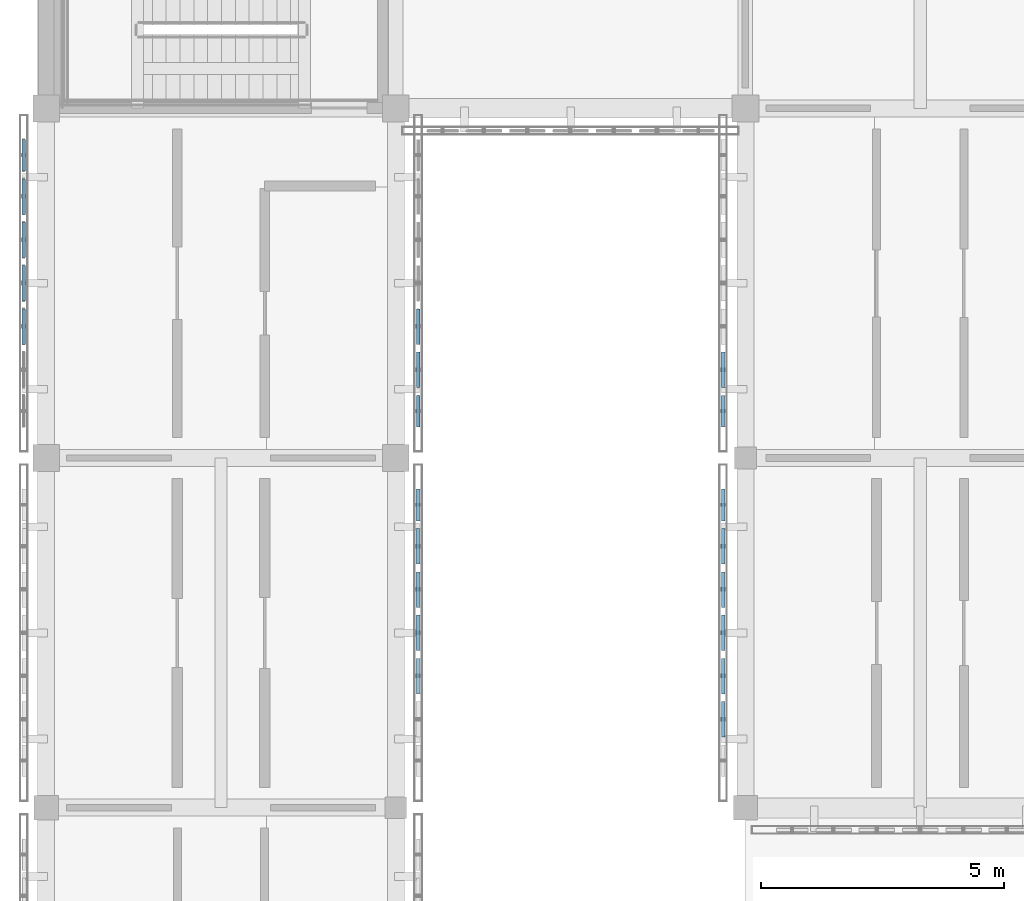
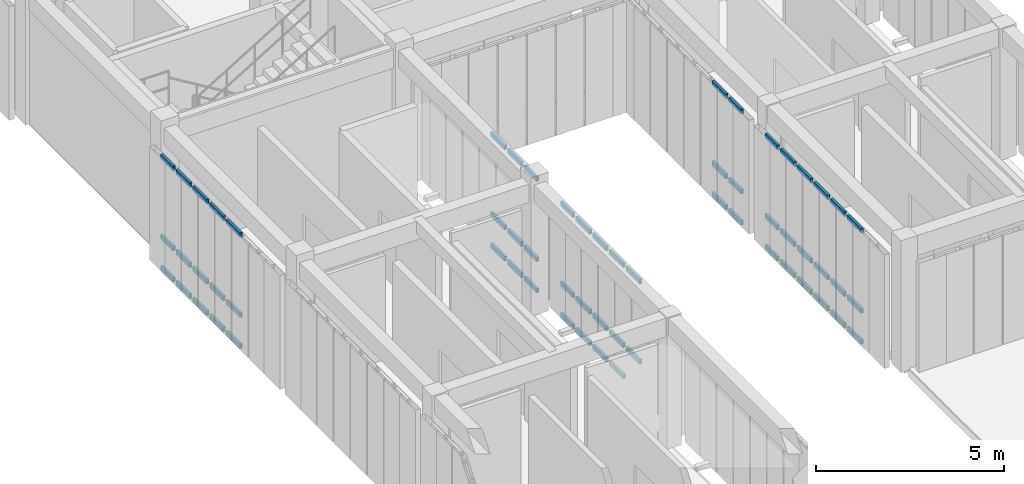
# One storey, part 18 of 91: 62 members, 5 elements without a shape of their own.
"""IFC4 building model written with IfcOpenShell, lengths in metres."""

from ifc_helpers import new_model, si_unit, direction, frame, origin, origin_2d, place, context, subcontext, project, spatial, hollow_rectangle, extrude, material, material_profile, profile_set, type_object, element, aggregate, save


model = new_model("IFC4")

# Units and contexts
model_context = context("Model", 3, precision=1e-05, world=origin(), true_north=direction((0.0, 1.0)))
body_context = subcontext(model_context, "Body", "Model", "MODEL_VIEW")
ifc_project = project(units=[si_unit("LENGTHUNIT", "METRE"), si_unit("AREAUNIT", "SQUARE_METRE"), si_unit("VOLUMEUNIT", "CUBIC_METRE"), si_unit("PLANEANGLEUNIT", "RADIAN"), si_unit("MASSUNIT", "GRAM", prefix="KILO")], contexts=[model_context])

# Site, building, storey
site_placement = place(None, origin())
site = spatial("IfcSite", under=ifc_project, at=site_placement, CompositionType="ELEMENT")
building_placement = place(site_placement, origin())
building = spatial("IfcBuilding", under=site, at=building_placement, Name="Aldebral Square Health Centre", CompositionType="ELEMENT")
storey_placement = place(building_placement, frame((0.0, 0.0, 9.0)))
storey = spatial("IfcBuildingStorey", under=building, at=storey_placement, Name="L02", CompositionType="ELEMENT", Elevation=9.0)

# Curtain wall, members
ifc_material_1 = material(Name="Aluminium and low-E solar glass", Category="aluminium")
curtain_wall_type = type_object("IfcCurtainWallType", Name="CW-FIN-SYS", PredefinedType="USERDEFINED", material=ifc_material_1)
curtain_wall_1_placement = place(storey_placement, origin())
curtain_wall_1 = element("IfcCurtainWall", 1, at=curtain_wall_1_placement, inside=storey, type_object=curtain_wall_type, Name="L02 V6 finned curtain wall L02-V6-00-02-E", ObjectType="SOLAR_CURTAIN_WALL", PredefinedType="USERDEFINED")
ifc_material_2 = material(Name="Anodised aluminium transom", Category="aluminium")
ifc_material_profile = material_profile(ifc_material_2, hollow_rectangle(XDim=0.074951171875, YDim=0.14990234375, WallThickness=0.00390625, at=origin_2d()), Name="CWT 75x150x4")
ifc_profile_set = profile_set([ifc_material_profile], Name="Anodised aluminium transom")
member_type = type_object("IfcMemberType", Name="CWT-STD", PredefinedType="USERDEFINED", material=ifc_profile_set)
member_1_placement = place(storey_placement, frame((7.659912109375, 16.742919921875, 1.050048828125), z_axis=(0.0, 1.0, 0.0), x_axis=(-1.0, 0.0, 0.0)))
member_1 = element("IfcMember", 2, at=member_1_placement, type_object=member_type, Name="CW1 transom 3.2", ObjectType="TRANSOM", PredefinedType="USERDEFINED", context=body_context, shape_type="SweptSolid", body=[
    extrude(hollow_rectangle(XDim=0.074951171875, YDim=0.14990234375, WallThickness=0.00390625, at=origin_2d()), origin(), (0.0, 0.0, 1.0), 0.7314453125),
])
member_2_placement = place(storey_placement, frame((7.659912109375, 16.742919921875, 3.652587890625), z_axis=(0.0, 1.0, 0.0), x_axis=(-1.0, 0.0, 0.0)))
member_2 = element("IfcMember", 3, at=member_2_placement, type_object=member_type, Name="CW1 transom 3.3", ObjectType="TRANSOM", PredefinedType="USERDEFINED", context=body_context, shape_type="SweptSolid", body=[
    extrude(hollow_rectangle(XDim=0.074951171875, YDim=0.14990234375, WallThickness=0.00390625, at=origin_2d()), origin(), (0.0, 0.0, 1.0), 0.7314453125),
])
member_3_placement = place(storey_placement, frame((7.659912109375, 17.63427734375, 0.03759765625), z_axis=(0.0, 1.0, 0.0), x_axis=(-1.0, 0.0, 0.0)))
member_3 = element("IfcMember", 4, at=member_3_placement, type_object=member_type, Name="CW1 transom 4.1", ObjectType="TRANSOM", PredefinedType="USERDEFINED", context=body_context, shape_type="SweptSolid", body=[
    extrude(hollow_rectangle(XDim=0.074951171875, YDim=0.14990234375, WallThickness=0.00390625, at=origin_2d()), origin(), (0.0, 0.0, 1.0), 0.7314453125),
])
member_4_placement = place(storey_placement, frame((7.659912109375, 17.63427734375, 1.050048828125), z_axis=(0.0, 1.0, 0.0), x_axis=(-1.0, 0.0, 0.0)))
member_4 = element("IfcMember", 5, at=member_4_placement, type_object=member_type, Name="CW1 transom 4.2", ObjectType="TRANSOM", PredefinedType="USERDEFINED", context=body_context, shape_type="SweptSolid", body=[
    extrude(hollow_rectangle(XDim=0.074951171875, YDim=0.14990234375, WallThickness=0.00390625, at=origin_2d()), origin(), (0.0, 0.0, 1.0), 0.7314453125),
])
member_5_placement = place(storey_placement, frame((7.659912109375, 17.63427734375, 3.652587890625), z_axis=(0.0, 1.0, 0.0), x_axis=(-1.0, 0.0, 0.0)))
member_5 = element("IfcMember", 6, at=member_5_placement, type_object=member_type, Name="CW1 transom 4.3", ObjectType="TRANSOM", PredefinedType="USERDEFINED", context=body_context, shape_type="SweptSolid", body=[
    extrude(hollow_rectangle(XDim=0.074951171875, YDim=0.14990234375, WallThickness=0.00390625, at=origin_2d()), origin(), (0.0, 0.0, 1.0), 0.7314453125),
])
member_6_placement = place(storey_placement, frame((7.659912109375, 18.525634765625, 0.03759765625), z_axis=(0.0, 1.0, 0.0), x_axis=(-1.0, 0.0, 0.0)))
member_6 = element("IfcMember", 7, at=member_6_placement, type_object=member_type, Name="CW1 transom 5.1", ObjectType="TRANSOM", PredefinedType="USERDEFINED", context=body_context, shape_type="SweptSolid", body=[
    extrude(hollow_rectangle(XDim=0.074951171875, YDim=0.14990234375, WallThickness=0.00390625, at=origin_2d()), origin(), (0.0, 0.0, 1.0), 0.7314453125),
])
member_7_placement = place(storey_placement, frame((7.659912109375, 18.525634765625, 1.050048828125), z_axis=(0.0, 1.0, 0.0), x_axis=(-1.0, 0.0, 0.0)))
member_7 = element("IfcMember", 8, at=member_7_placement, type_object=member_type, Name="CW1 transom 5.2", ObjectType="TRANSOM", PredefinedType="USERDEFINED", context=body_context, shape_type="SweptSolid", body=[
    extrude(hollow_rectangle(XDim=0.074951171875, YDim=0.14990234375, WallThickness=0.00390625, at=origin_2d()), origin(), (0.0, 0.0, 1.0), 0.7314453125),
])
member_8_placement = place(storey_placement, frame((7.659912109375, 18.525634765625, 3.652587890625), z_axis=(0.0, 1.0, 0.0), x_axis=(-1.0, 0.0, 0.0)))
member_8 = element("IfcMember", 9, at=member_8_placement, type_object=member_type, Name="CW1 transom 5.3", ObjectType="TRANSOM", PredefinedType="USERDEFINED", context=body_context, shape_type="SweptSolid", body=[
    extrude(hollow_rectangle(XDim=0.074951171875, YDim=0.14990234375, WallThickness=0.00390625, at=origin_2d()), origin(), (0.0, 0.0, 1.0), 0.7314453125),
])
member_9_placement = place(storey_placement, frame((7.659912109375, 19.417236328125, 0.03759765625), z_axis=(0.0, 1.0, 0.0), x_axis=(-1.0, 0.0, 0.0)))
member_9 = element("IfcMember", 10, at=member_9_placement, type_object=member_type, Name="CW1 transom 6.1", ObjectType="TRANSOM", PredefinedType="USERDEFINED", context=body_context, shape_type="SweptSolid", body=[
    extrude(hollow_rectangle(XDim=0.074951171875, YDim=0.14990234375, WallThickness=0.00390625, at=origin_2d()), origin(), (0.0, 0.0, 1.0), 0.7314453125),
])
member_10_placement = place(storey_placement, frame((7.659912109375, 19.417236328125, 1.050048828125), z_axis=(0.0, 1.0, 0.0), x_axis=(-1.0, 0.0, 0.0)))
member_10 = element("IfcMember", 11, at=member_10_placement, type_object=member_type, Name="CW1 transom 6.2", ObjectType="TRANSOM", PredefinedType="USERDEFINED", context=body_context, shape_type="SweptSolid", body=[
    extrude(hollow_rectangle(XDim=0.074951171875, YDim=0.14990234375, WallThickness=0.00390625, at=origin_2d()), origin(), (0.0, 0.0, 1.0), 0.7314453125),
])
member_11_placement = place(storey_placement, frame((7.659912109375, 19.417236328125, 3.652587890625), z_axis=(0.0, 1.0, 0.0), x_axis=(-1.0, 0.0, 0.0)))
member_11 = element("IfcMember", 12, at=member_11_placement, type_object=member_type, Name="CW1 transom 6.3", ObjectType="TRANSOM", PredefinedType="USERDEFINED", context=body_context, shape_type="SweptSolid", body=[
    extrude(hollow_rectangle(XDim=0.074951171875, YDim=0.14990234375, WallThickness=0.00390625, at=origin_2d()), origin(), (0.0, 0.0, 1.0), 0.7314453125),
])
member_12_placement = place(storey_placement, frame((7.659912109375, 20.30859375, 0.03759765625), z_axis=(0.0, 1.0, 0.0), x_axis=(-1.0, 0.0, 0.0)))
member_12 = element("IfcMember", 13, at=member_12_placement, type_object=member_type, Name="CW1 transom 7.1", ObjectType="TRANSOM", PredefinedType="USERDEFINED", context=body_context, shape_type="SweptSolid", body=[
    extrude(hollow_rectangle(XDim=0.074951171875, YDim=0.14990234375, WallThickness=0.00390625, at=origin_2d()), origin(), (0.0, 0.0, 1.0), 0.6513671875),
])
member_13_placement = place(storey_placement, frame((7.659912109375, 20.30859375, 1.050048828125), z_axis=(0.0, 1.0, 0.0), x_axis=(-1.0, 0.0, 0.0)))
member_13 = element("IfcMember", 14, at=member_13_placement, type_object=member_type, Name="CW1 transom 7.2", ObjectType="TRANSOM", PredefinedType="USERDEFINED", context=body_context, shape_type="SweptSolid", body=[
    extrude(hollow_rectangle(XDim=0.074951171875, YDim=0.14990234375, WallThickness=0.00390625, at=origin_2d()), origin(), (0.0, 0.0, 1.0), 0.6513671875),
])
member_14_placement = place(storey_placement, frame((7.659912109375, 20.30859375, 3.652587890625), z_axis=(0.0, 1.0, 0.0), x_axis=(-1.0, 0.0, 0.0)))
member_14 = element("IfcMember", 15, at=member_14_placement, type_object=member_type, Name="CW1 transom 7.3", ObjectType="TRANSOM", PredefinedType="USERDEFINED", context=body_context, shape_type="SweptSolid", body=[
    extrude(hollow_rectangle(XDim=0.074951171875, YDim=0.14990234375, WallThickness=0.00390625, at=origin_2d()), origin(), (0.0, 0.0, 1.0), 0.6513671875),
])
aggregate(curtain_wall_1, [member_1, member_2, member_3, member_4, member_5, member_6, member_7, member_8, member_9, member_10, member_11, member_12, member_13, member_14])

curtain_wall_2_placement = place(storey_placement, origin())
curtain_wall_2 = element("IfcCurtainWall", 16, at=curtain_wall_2_placement, inside=storey, type_object=curtain_wall_type, Name="L02 V6 finned curtain wall L02-V6-00-03-W", ObjectType="SOLAR_CURTAIN_WALL", PredefinedType="USERDEFINED")
member_15_placement = place(storey_placement, frame((-0.4599609375, 28.159912109375, 0.03759765625), z_axis=(0.0, -1.0, 0.0), x_axis=(1.0, 0.0, 0.0)))
member_15 = element("IfcMember", 17, at=member_15_placement, type_object=member_type, Name="CW1 transom 1.1", ObjectType="TRANSOM", PredefinedType="USERDEFINED", context=body_context, shape_type="SweptSolid", body=[
    extrude(hollow_rectangle(XDim=0.074951171875, YDim=0.14990234375, WallThickness=0.00390625, at=origin_2d()), origin(), (0.0, 0.0, 1.0), 0.6513671875),
])
member_16_placement = place(storey_placement, frame((-0.4599609375, 28.159912109375, 1.050048828125), z_axis=(0.0, -1.0, 0.0), x_axis=(1.0, 0.0, 0.0)))
member_16 = element("IfcMember", 18, at=member_16_placement, type_object=member_type, Name="CW1 transom 1.2", ObjectType="TRANSOM", PredefinedType="USERDEFINED", context=body_context, shape_type="SweptSolid", body=[
    extrude(hollow_rectangle(XDim=0.074951171875, YDim=0.14990234375, WallThickness=0.00390625, at=origin_2d()), origin(), (0.0, 0.0, 1.0), 0.6513671875),
])
member_17_placement = place(storey_placement, frame((-0.4599609375, 28.159912109375, 3.652587890625), z_axis=(0.0, -1.0, 0.0), x_axis=(1.0, 0.0, 0.0)))
member_17 = element("IfcMember", 19, at=member_17_placement, type_object=member_type, Name="CW1 transom 1.3", ObjectType="TRANSOM", PredefinedType="USERDEFINED", context=body_context, shape_type="SweptSolid", body=[
    extrude(hollow_rectangle(XDim=0.074951171875, YDim=0.14990234375, WallThickness=0.00390625, at=origin_2d()), origin(), (0.0, 0.0, 1.0), 0.6513671875),
])
member_18_placement = place(storey_placement, frame((-0.4599609375, 27.3486328125, 0.03759765625), z_axis=(0.0, -1.0, 0.0), x_axis=(1.0, 0.0, 0.0)))
member_18 = element("IfcMember", 20, at=member_18_placement, type_object=member_type, Name="CW1 transom 2.1", ObjectType="TRANSOM", PredefinedType="USERDEFINED", context=body_context, shape_type="SweptSolid", body=[
    extrude(hollow_rectangle(XDim=0.074951171875, YDim=0.14990234375, WallThickness=0.00390625, at=origin_2d()), origin(), (0.0, 0.0, 1.0), 0.7314453125),
])
member_19_placement = place(storey_placement, frame((-0.4599609375, 27.3486328125, 1.050048828125), z_axis=(0.0, -1.0, 0.0), x_axis=(1.0, 0.0, 0.0)))
member_19 = element("IfcMember", 21, at=member_19_placement, type_object=member_type, Name="CW1 transom 2.2", ObjectType="TRANSOM", PredefinedType="USERDEFINED", context=body_context, shape_type="SweptSolid", body=[
    extrude(hollow_rectangle(XDim=0.074951171875, YDim=0.14990234375, WallThickness=0.00390625, at=origin_2d()), origin(), (0.0, 0.0, 1.0), 0.7314453125),
])
member_20_placement = place(storey_placement, frame((-0.4599609375, 27.3486328125, 3.652587890625), z_axis=(0.0, -1.0, 0.0), x_axis=(1.0, 0.0, 0.0)))
member_20 = element("IfcMember", 22, at=member_20_placement, type_object=member_type, Name="CW1 transom 2.3", ObjectType="TRANSOM", PredefinedType="USERDEFINED", context=body_context, shape_type="SweptSolid", body=[
    extrude(hollow_rectangle(XDim=0.074951171875, YDim=0.14990234375, WallThickness=0.00390625, at=origin_2d()), origin(), (0.0, 0.0, 1.0), 0.7314453125),
])
member_21_placement = place(storey_placement, frame((-0.4599609375, 26.45703125, 0.03759765625), z_axis=(0.0, -1.0, 0.0), x_axis=(1.0, 0.0, 0.0)))
member_21 = element("IfcMember", 23, at=member_21_placement, type_object=member_type, Name="CW1 transom 3.1", ObjectType="TRANSOM", PredefinedType="USERDEFINED", context=body_context, shape_type="SweptSolid", body=[
    extrude(hollow_rectangle(XDim=0.074951171875, YDim=0.14990234375, WallThickness=0.00390625, at=origin_2d()), origin(), (0.0, 0.0, 1.0), 0.731201171875),
])
member_22_placement = place(storey_placement, frame((-0.4599609375, 26.45703125, 1.050048828125), z_axis=(0.0, -1.0, 0.0), x_axis=(1.0, 0.0, 0.0)))
member_22 = element("IfcMember", 24, at=member_22_placement, type_object=member_type, Name="CW1 transom 3.2", ObjectType="TRANSOM", PredefinedType="USERDEFINED", context=body_context, shape_type="SweptSolid", body=[
    extrude(hollow_rectangle(XDim=0.074951171875, YDim=0.14990234375, WallThickness=0.00390625, at=origin_2d()), origin(), (0.0, 0.0, 1.0), 0.731201171875),
])
member_23_placement = place(storey_placement, frame((-0.4599609375, 26.45703125, 3.652587890625), z_axis=(0.0, -1.0, 0.0), x_axis=(1.0, 0.0, 0.0)))
member_23 = element("IfcMember", 25, at=member_23_placement, type_object=member_type, Name="CW1 transom 3.3", ObjectType="TRANSOM", PredefinedType="USERDEFINED", context=body_context, shape_type="SweptSolid", body=[
    extrude(hollow_rectangle(XDim=0.074951171875, YDim=0.14990234375, WallThickness=0.00390625, at=origin_2d()), origin(), (0.0, 0.0, 1.0), 0.731201171875),
])
member_24_placement = place(storey_placement, frame((-0.4599609375, 25.565673828125, 0.03759765625), z_axis=(0.0, -1.0, 0.0), x_axis=(1.0, 0.0, 0.0)))
member_24 = element("IfcMember", 26, at=member_24_placement, type_object=member_type, Name="CW1 transom 4.1", ObjectType="TRANSOM", PredefinedType="USERDEFINED", context=body_context, shape_type="SweptSolid", body=[
    extrude(hollow_rectangle(XDim=0.074951171875, YDim=0.14990234375, WallThickness=0.00390625, at=origin_2d()), origin(), (0.0, 0.0, 1.0), 0.7314453125),
])
member_25_placement = place(storey_placement, frame((-0.4599609375, 25.565673828125, 1.050048828125), z_axis=(0.0, -1.0, 0.0), x_axis=(1.0, 0.0, 0.0)))
member_25 = element("IfcMember", 27, at=member_25_placement, type_object=member_type, Name="CW1 transom 4.2", ObjectType="TRANSOM", PredefinedType="USERDEFINED", context=body_context, shape_type="SweptSolid", body=[
    extrude(hollow_rectangle(XDim=0.074951171875, YDim=0.14990234375, WallThickness=0.00390625, at=origin_2d()), origin(), (0.0, 0.0, 1.0), 0.7314453125),
])
member_26_placement = place(storey_placement, frame((-0.4599609375, 25.565673828125, 3.652587890625), z_axis=(0.0, -1.0, 0.0), x_axis=(1.0, 0.0, 0.0)))
member_26 = element("IfcMember", 28, at=member_26_placement, type_object=member_type, Name="CW1 transom 4.3", ObjectType="TRANSOM", PredefinedType="USERDEFINED", context=body_context, shape_type="SweptSolid", body=[
    extrude(hollow_rectangle(XDim=0.074951171875, YDim=0.14990234375, WallThickness=0.00390625, at=origin_2d()), origin(), (0.0, 0.0, 1.0), 0.7314453125),
])
member_27_placement = place(storey_placement, frame((-0.4599609375, 24.67431640625, 0.03759765625), z_axis=(0.0, -1.0, 0.0), x_axis=(1.0, 0.0, 0.0)))
member_27 = element("IfcMember", 29, at=member_27_placement, type_object=member_type, Name="CW1 transom 5.1", ObjectType="TRANSOM", PredefinedType="USERDEFINED", context=body_context, shape_type="SweptSolid", body=[
    extrude(hollow_rectangle(XDim=0.074951171875, YDim=0.14990234375, WallThickness=0.00390625, at=origin_2d()), origin(), (0.0, 0.0, 1.0), 0.7314453125),
])
member_28_placement = place(storey_placement, frame((-0.4599609375, 24.67431640625, 1.050048828125), z_axis=(0.0, -1.0, 0.0), x_axis=(1.0, 0.0, 0.0)))
member_28 = element("IfcMember", 30, at=member_28_placement, type_object=member_type, Name="CW1 transom 5.2", ObjectType="TRANSOM", PredefinedType="USERDEFINED", context=body_context, shape_type="SweptSolid", body=[
    extrude(hollow_rectangle(XDim=0.074951171875, YDim=0.14990234375, WallThickness=0.00390625, at=origin_2d()), origin(), (0.0, 0.0, 1.0), 0.7314453125),
])
member_29_placement = place(storey_placement, frame((-0.4599609375, 24.67431640625, 3.652587890625), z_axis=(0.0, -1.0, 0.0), x_axis=(1.0, 0.0, 0.0)))
member_29 = element("IfcMember", 31, at=member_29_placement, type_object=member_type, Name="CW1 transom 5.3", ObjectType="TRANSOM", PredefinedType="USERDEFINED", context=body_context, shape_type="SweptSolid", body=[
    extrude(hollow_rectangle(XDim=0.074951171875, YDim=0.14990234375, WallThickness=0.00390625, at=origin_2d()), origin(), (0.0, 0.0, 1.0), 0.7314453125),
])
aggregate(curtain_wall_2, [member_15, member_16, member_17, member_18, member_19, member_20, member_21, member_22, member_23, member_24, member_25, member_26, member_27, member_28, member_29])

curtain_wall_3_placement = place(storey_placement, origin())
curtain_wall_3 = element("IfcCurtainWall", 32, at=curtain_wall_3_placement, inside=storey, type_object=curtain_wall_type, Name="L02 V6 finned curtain wall L02-V6-00-03-E", ObjectType="SOLAR_CURTAIN_WALL", PredefinedType="USERDEFINED")
member_30_placement = place(storey_placement, frame((7.659912109375, 22.239990234375, 0.03759765625), z_axis=(0.0, 1.0, 0.0), x_axis=(-1.0, 0.0, 0.0)))
member_30 = element("IfcMember", 33, at=member_30_placement, type_object=member_type, Name="CW1 transom 1.1", ObjectType="TRANSOM", PredefinedType="USERDEFINED", context=body_context, shape_type="SweptSolid", body=[
    extrude(hollow_rectangle(XDim=0.074951171875, YDim=0.14990234375, WallThickness=0.00390625, at=origin_2d()), origin(), (0.0, 0.0, 1.0), 0.6513671875),
])
member_31_placement = place(storey_placement, frame((7.659912109375, 22.239990234375, 1.050048828125), z_axis=(0.0, 1.0, 0.0), x_axis=(-1.0, 0.0, 0.0)))
member_31 = element("IfcMember", 34, at=member_31_placement, type_object=member_type, Name="CW1 transom 1.2", ObjectType="TRANSOM", PredefinedType="USERDEFINED", context=body_context, shape_type="SweptSolid", body=[
    extrude(hollow_rectangle(XDim=0.074951171875, YDim=0.14990234375, WallThickness=0.00390625, at=origin_2d()), origin(), (0.0, 0.0, 1.0), 0.6513671875),
])
member_32_placement = place(storey_placement, frame((7.659912109375, 22.239990234375, 3.652587890625), z_axis=(0.0, 1.0, 0.0), x_axis=(-1.0, 0.0, 0.0)))
member_32 = element("IfcMember", 35, at=member_32_placement, type_object=member_type, Name="CW1 transom 1.3", ObjectType="TRANSOM", PredefinedType="USERDEFINED", context=body_context, shape_type="SweptSolid", body=[
    extrude(hollow_rectangle(XDim=0.074951171875, YDim=0.14990234375, WallThickness=0.00390625, at=origin_2d()), origin(), (0.0, 0.0, 1.0), 0.6513671875),
])
member_33_placement = place(storey_placement, frame((7.659912109375, 23.051513671875, 0.03759765625), z_axis=(0.0, 1.0, 0.0), x_axis=(-1.0, 0.0, 0.0)))
member_33 = element("IfcMember", 36, at=member_33_placement, type_object=member_type, Name="CW1 transom 2.1", ObjectType="TRANSOM", PredefinedType="USERDEFINED", context=body_context, shape_type="SweptSolid", body=[
    extrude(hollow_rectangle(XDim=0.074951171875, YDim=0.14990234375, WallThickness=0.00390625, at=origin_2d()), origin(), (0.0, 0.0, 1.0), 0.7314453125),
])
member_34_placement = place(storey_placement, frame((7.659912109375, 23.051513671875, 1.050048828125), z_axis=(0.0, 1.0, 0.0), x_axis=(-1.0, 0.0, 0.0)))
member_34 = element("IfcMember", 37, at=member_34_placement, type_object=member_type, Name="CW1 transom 2.2", ObjectType="TRANSOM", PredefinedType="USERDEFINED", context=body_context, shape_type="SweptSolid", body=[
    extrude(hollow_rectangle(XDim=0.074951171875, YDim=0.14990234375, WallThickness=0.00390625, at=origin_2d()), origin(), (0.0, 0.0, 1.0), 0.7314453125),
])
member_35_placement = place(storey_placement, frame((7.659912109375, 23.051513671875, 3.652587890625), z_axis=(0.0, 1.0, 0.0), x_axis=(-1.0, 0.0, 0.0)))
member_35 = element("IfcMember", 38, at=member_35_placement, type_object=member_type, Name="CW1 transom 2.3", ObjectType="TRANSOM", PredefinedType="USERDEFINED", context=body_context, shape_type="SweptSolid", body=[
    extrude(hollow_rectangle(XDim=0.074951171875, YDim=0.14990234375, WallThickness=0.00390625, at=origin_2d()), origin(), (0.0, 0.0, 1.0), 0.7314453125),
])
member_36_placement = place(storey_placement, frame((7.659912109375, 23.94287109375, 0.03759765625), z_axis=(0.0, 1.0, 0.0), x_axis=(-1.0, 0.0, 0.0)))
member_36 = element("IfcMember", 39, at=member_36_placement, type_object=member_type, Name="CW1 transom 3.1", ObjectType="TRANSOM", PredefinedType="USERDEFINED", context=body_context, shape_type="SweptSolid", body=[
    extrude(hollow_rectangle(XDim=0.074951171875, YDim=0.14990234375, WallThickness=0.00390625, at=origin_2d()), origin(), (0.0, 0.0, 1.0), 0.7314453125),
])
member_37_placement = place(storey_placement, frame((7.659912109375, 23.94287109375, 1.050048828125), z_axis=(0.0, 1.0, 0.0), x_axis=(-1.0, 0.0, 0.0)))
member_37 = element("IfcMember", 40, at=member_37_placement, type_object=member_type, Name="CW1 transom 3.2", ObjectType="TRANSOM", PredefinedType="USERDEFINED", context=body_context, shape_type="SweptSolid", body=[
    extrude(hollow_rectangle(XDim=0.074951171875, YDim=0.14990234375, WallThickness=0.00390625, at=origin_2d()), origin(), (0.0, 0.0, 1.0), 0.7314453125),
])
member_38_placement = place(storey_placement, frame((7.659912109375, 23.94287109375, 3.652587890625), z_axis=(0.0, 1.0, 0.0), x_axis=(-1.0, 0.0, 0.0)))
member_38 = element("IfcMember", 41, at=member_38_placement, type_object=member_type, Name="CW1 transom 3.3", ObjectType="TRANSOM", PredefinedType="USERDEFINED", context=body_context, shape_type="SweptSolid", body=[
    extrude(hollow_rectangle(XDim=0.074951171875, YDim=0.14990234375, WallThickness=0.00390625, at=origin_2d()), origin(), (0.0, 0.0, 1.0), 0.7314453125),
])
aggregate(curtain_wall_3, [member_30, member_31, member_32, member_33, member_34, member_35, member_36, member_37, member_38])

curtain_wall_4_placement = place(storey_placement, origin())
curtain_wall_4 = element("IfcCurtainWall", 42, at=curtain_wall_4_placement, inside=storey, type_object=curtain_wall_type, Name="L02 V6 finned curtain wall L02-V6-02-02-W", ObjectType="SOLAR_CURTAIN_WALL", PredefinedType="USERDEFINED")
member_39_placement = place(storey_placement, frame((13.93994140625, 20.9599609375, 0.03759765625), z_axis=(0.0, -1.0, 0.0), x_axis=(1.0, 0.0, 0.0)))
member_39 = element("IfcMember", 43, at=member_39_placement, type_object=member_type, Name="CW1 transom 1.1", ObjectType="TRANSOM", PredefinedType="USERDEFINED", context=body_context, shape_type="SweptSolid", body=[
    extrude(hollow_rectangle(XDim=0.074951171875, YDim=0.14990234375, WallThickness=0.00390625, at=origin_2d()), origin(), (0.0, 0.0, 1.0), 0.6513671875),
])
member_40_placement = place(storey_placement, frame((13.93994140625, 20.9599609375, 1.050048828125), z_axis=(0.0, -1.0, 0.0), x_axis=(1.0, 0.0, 0.0)))
member_40 = element("IfcMember", 44, at=member_40_placement, type_object=member_type, Name="CW1 transom 1.2", ObjectType="TRANSOM", PredefinedType="USERDEFINED", context=body_context, shape_type="SweptSolid", body=[
    extrude(hollow_rectangle(XDim=0.074951171875, YDim=0.14990234375, WallThickness=0.00390625, at=origin_2d()), origin(), (0.0, 0.0, 1.0), 0.6513671875),
])
member_41_placement = place(storey_placement, frame((13.93994140625, 20.9599609375, 3.652587890625), z_axis=(0.0, -1.0, 0.0), x_axis=(1.0, 0.0, 0.0)))
member_41 = element("IfcMember", 45, at=member_41_placement, type_object=member_type, Name="CW1 transom 1.3", ObjectType="TRANSOM", PredefinedType="USERDEFINED", context=body_context, shape_type="SweptSolid", body=[
    extrude(hollow_rectangle(XDim=0.074951171875, YDim=0.14990234375, WallThickness=0.00390625, at=origin_2d()), origin(), (0.0, 0.0, 1.0), 0.6513671875),
])
member_42_placement = place(storey_placement, frame((13.93994140625, 20.148681640625, 0.03759765625), z_axis=(0.0, -1.0, 0.0), x_axis=(1.0, 0.0, 0.0)))
member_42 = element("IfcMember", 46, at=member_42_placement, type_object=member_type, Name="CW1 transom 2.1", ObjectType="TRANSOM", PredefinedType="USERDEFINED", context=body_context, shape_type="SweptSolid", body=[
    extrude(hollow_rectangle(XDim=0.074951171875, YDim=0.14990234375, WallThickness=0.00390625, at=origin_2d()), origin(), (0.0, 0.0, 1.0), 0.7314453125),
])
member_43_placement = place(storey_placement, frame((13.93994140625, 20.148681640625, 1.050048828125), z_axis=(0.0, -1.0, 0.0), x_axis=(1.0, 0.0, 0.0)))
member_43 = element("IfcMember", 47, at=member_43_placement, type_object=member_type, Name="CW1 transom 2.2", ObjectType="TRANSOM", PredefinedType="USERDEFINED", context=body_context, shape_type="SweptSolid", body=[
    extrude(hollow_rectangle(XDim=0.074951171875, YDim=0.14990234375, WallThickness=0.00390625, at=origin_2d()), origin(), (0.0, 0.0, 1.0), 0.7314453125),
])
member_44_placement = place(storey_placement, frame((13.93994140625, 20.148681640625, 3.652587890625), z_axis=(0.0, -1.0, 0.0), x_axis=(1.0, 0.0, 0.0)))
member_44 = element("IfcMember", 48, at=member_44_placement, type_object=member_type, Name="CW1 transom 2.3", ObjectType="TRANSOM", PredefinedType="USERDEFINED", context=body_context, shape_type="SweptSolid", body=[
    extrude(hollow_rectangle(XDim=0.074951171875, YDim=0.14990234375, WallThickness=0.00390625, at=origin_2d()), origin(), (0.0, 0.0, 1.0), 0.7314453125),
])
member_45_placement = place(storey_placement, frame((13.93994140625, 19.257080078125, 0.03759765625), z_axis=(0.0, -1.0, 0.0), x_axis=(1.0, 0.0, 0.0)))
member_45 = element("IfcMember", 49, at=member_45_placement, type_object=member_type, Name="CW1 transom 3.1", ObjectType="TRANSOM", PredefinedType="USERDEFINED", context=body_context, shape_type="SweptSolid", body=[
    extrude(hollow_rectangle(XDim=0.074951171875, YDim=0.14990234375, WallThickness=0.00390625, at=origin_2d()), origin(), (0.0, 0.0, 1.0), 0.7314453125),
])
member_46_placement = place(storey_placement, frame((13.93994140625, 19.257080078125, 1.050048828125), z_axis=(0.0, -1.0, 0.0), x_axis=(1.0, 0.0, 0.0)))
member_46 = element("IfcMember", 50, at=member_46_placement, type_object=member_type, Name="CW1 transom 3.2", ObjectType="TRANSOM", PredefinedType="USERDEFINED", context=body_context, shape_type="SweptSolid", body=[
    extrude(hollow_rectangle(XDim=0.074951171875, YDim=0.14990234375, WallThickness=0.00390625, at=origin_2d()), origin(), (0.0, 0.0, 1.0), 0.7314453125),
])
member_47_placement = place(storey_placement, frame((13.93994140625, 19.257080078125, 3.652587890625), z_axis=(0.0, -1.0, 0.0), x_axis=(1.0, 0.0, 0.0)))
member_47 = element("IfcMember", 51, at=member_47_placement, type_object=member_type, Name="CW1 transom 3.3", ObjectType="TRANSOM", PredefinedType="USERDEFINED", context=body_context, shape_type="SweptSolid", body=[
    extrude(hollow_rectangle(XDim=0.074951171875, YDim=0.14990234375, WallThickness=0.00390625, at=origin_2d()), origin(), (0.0, 0.0, 1.0), 0.7314453125),
])
member_48_placement = place(storey_placement, frame((13.93994140625, 18.36572265625, 0.03759765625), z_axis=(0.0, -1.0, 0.0), x_axis=(1.0, 0.0, 0.0)))
member_48 = element("IfcMember", 52, at=member_48_placement, type_object=member_type, Name="CW1 transom 4.1", ObjectType="TRANSOM", PredefinedType="USERDEFINED", context=body_context, shape_type="SweptSolid", body=[
    extrude(hollow_rectangle(XDim=0.074951171875, YDim=0.14990234375, WallThickness=0.00390625, at=origin_2d()), origin(), (0.0, 0.0, 1.0), 0.7314453125),
])
member_49_placement = place(storey_placement, frame((13.93994140625, 18.36572265625, 1.050048828125), z_axis=(0.0, -1.0, 0.0), x_axis=(1.0, 0.0, 0.0)))
member_49 = element("IfcMember", 53, at=member_49_placement, type_object=member_type, Name="CW1 transom 4.2", ObjectType="TRANSOM", PredefinedType="USERDEFINED", context=body_context, shape_type="SweptSolid", body=[
    extrude(hollow_rectangle(XDim=0.074951171875, YDim=0.14990234375, WallThickness=0.00390625, at=origin_2d()), origin(), (0.0, 0.0, 1.0), 0.7314453125),
])
member_50_placement = place(storey_placement, frame((13.93994140625, 18.36572265625, 3.652587890625), z_axis=(0.0, -1.0, 0.0), x_axis=(1.0, 0.0, 0.0)))
member_50 = element("IfcMember", 54, at=member_50_placement, type_object=member_type, Name="CW1 transom 4.3", ObjectType="TRANSOM", PredefinedType="USERDEFINED", context=body_context, shape_type="SweptSolid", body=[
    extrude(hollow_rectangle(XDim=0.074951171875, YDim=0.14990234375, WallThickness=0.00390625, at=origin_2d()), origin(), (0.0, 0.0, 1.0), 0.7314453125),
])
member_51_placement = place(storey_placement, frame((13.93994140625, 17.474365234375, 0.03759765625), z_axis=(0.0, -1.0, 0.0), x_axis=(1.0, 0.0, 0.0)))
member_51 = element("IfcMember", 55, at=member_51_placement, type_object=member_type, Name="CW1 transom 5.1", ObjectType="TRANSOM", PredefinedType="USERDEFINED", context=body_context, shape_type="SweptSolid", body=[
    extrude(hollow_rectangle(XDim=0.074951171875, YDim=0.14990234375, WallThickness=0.00390625, at=origin_2d()), origin(), (0.0, 0.0, 1.0), 0.7314453125),
])
member_52_placement = place(storey_placement, frame((13.93994140625, 17.474365234375, 1.050048828125), z_axis=(0.0, -1.0, 0.0), x_axis=(1.0, 0.0, 0.0)))
member_52 = element("IfcMember", 56, at=member_52_placement, type_object=member_type, Name="CW1 transom 5.2", ObjectType="TRANSOM", PredefinedType="USERDEFINED", context=body_context, shape_type="SweptSolid", body=[
    extrude(hollow_rectangle(XDim=0.074951171875, YDim=0.14990234375, WallThickness=0.00390625, at=origin_2d()), origin(), (0.0, 0.0, 1.0), 0.7314453125),
])
member_53_placement = place(storey_placement, frame((13.93994140625, 17.474365234375, 3.652587890625), z_axis=(0.0, -1.0, 0.0), x_axis=(1.0, 0.0, 0.0)))
member_53 = element("IfcMember", 57, at=member_53_placement, type_object=member_type, Name="CW1 transom 5.3", ObjectType="TRANSOM", PredefinedType="USERDEFINED", context=body_context, shape_type="SweptSolid", body=[
    extrude(hollow_rectangle(XDim=0.074951171875, YDim=0.14990234375, WallThickness=0.00390625, at=origin_2d()), origin(), (0.0, 0.0, 1.0), 0.7314453125),
])
member_54_placement = place(storey_placement, frame((13.93994140625, 16.582763671875, 0.03759765625), z_axis=(0.0, -1.0, 0.0), x_axis=(1.0, 0.0, 0.0)))
member_54 = element("IfcMember", 58, at=member_54_placement, type_object=member_type, Name="CW1 transom 6.1", ObjectType="TRANSOM", PredefinedType="USERDEFINED", context=body_context, shape_type="SweptSolid", body=[
    extrude(hollow_rectangle(XDim=0.074951171875, YDim=0.14990234375, WallThickness=0.00390625, at=origin_2d()), origin(), (0.0, 0.0, 1.0), 0.7314453125),
])
member_55_placement = place(storey_placement, frame((13.93994140625, 16.582763671875, 1.050048828125), z_axis=(0.0, -1.0, 0.0), x_axis=(1.0, 0.0, 0.0)))
member_55 = element("IfcMember", 59, at=member_55_placement, type_object=member_type, Name="CW1 transom 6.2", ObjectType="TRANSOM", PredefinedType="USERDEFINED", context=body_context, shape_type="SweptSolid", body=[
    extrude(hollow_rectangle(XDim=0.074951171875, YDim=0.14990234375, WallThickness=0.00390625, at=origin_2d()), origin(), (0.0, 0.0, 1.0), 0.7314453125),
])
member_56_placement = place(storey_placement, frame((13.93994140625, 16.582763671875, 3.652587890625), z_axis=(0.0, -1.0, 0.0), x_axis=(1.0, 0.0, 0.0)))
member_56 = element("IfcMember", 60, at=member_56_placement, type_object=member_type, Name="CW1 transom 6.3", ObjectType="TRANSOM", PredefinedType="USERDEFINED", context=body_context, shape_type="SweptSolid", body=[
    extrude(hollow_rectangle(XDim=0.074951171875, YDim=0.14990234375, WallThickness=0.00390625, at=origin_2d()), origin(), (0.0, 0.0, 1.0), 0.7314453125),
])
aggregate(curtain_wall_4, [member_39, member_40, member_41, member_42, member_43, member_44, member_45, member_46, member_47, member_48, member_49, member_50, member_51, member_52, member_53, member_54, member_55, member_56])

curtain_wall_5_placement = place(storey_placement, origin())
curtain_wall_5 = element("IfcCurtainWall", 61, at=curtain_wall_5_placement, inside=storey, type_object=curtain_wall_type, Name="L02 V6 finned curtain wall L02-V6-02-03-W", ObjectType="SOLAR_CURTAIN_WALL", PredefinedType="USERDEFINED")
member_57_placement = place(storey_placement, frame((13.93994140625, 23.782958984375, 0.03759765625), z_axis=(0.0, -1.0, 0.0), x_axis=(1.0, 0.0, 0.0)))
member_57 = element("IfcMember", 62, at=member_57_placement, type_object=member_type, Name="CW1 transom 6.1", ObjectType="TRANSOM", PredefinedType="USERDEFINED", context=body_context, shape_type="SweptSolid", body=[
    extrude(hollow_rectangle(XDim=0.074951171875, YDim=0.14990234375, WallThickness=0.00390625, at=origin_2d()), origin(), (0.0, 0.0, 1.0), 0.7314453125),
])
member_58_placement = place(storey_placement, frame((13.93994140625, 23.782958984375, 1.050048828125), z_axis=(0.0, -1.0, 0.0), x_axis=(1.0, 0.0, 0.0)))
member_58 = element("IfcMember", 63, at=member_58_placement, type_object=member_type, Name="CW1 transom 6.2", ObjectType="TRANSOM", PredefinedType="USERDEFINED", context=body_context, shape_type="SweptSolid", body=[
    extrude(hollow_rectangle(XDim=0.074951171875, YDim=0.14990234375, WallThickness=0.00390625, at=origin_2d()), origin(), (0.0, 0.0, 1.0), 0.7314453125),
])
member_59_placement = place(storey_placement, frame((13.93994140625, 23.782958984375, 3.652587890625), z_axis=(0.0, -1.0, 0.0), x_axis=(1.0, 0.0, 0.0)))
member_59 = element("IfcMember", 64, at=member_59_placement, type_object=member_type, Name="CW1 transom 6.3", ObjectType="TRANSOM", PredefinedType="USERDEFINED", context=body_context, shape_type="SweptSolid", body=[
    extrude(hollow_rectangle(XDim=0.074951171875, YDim=0.14990234375, WallThickness=0.00390625, at=origin_2d()), origin(), (0.0, 0.0, 1.0), 0.7314453125),
])
member_60_placement = place(storey_placement, frame((13.93994140625, 22.891357421875, 0.03759765625), z_axis=(0.0, -1.0, 0.0), x_axis=(1.0, 0.0, 0.0)))
member_60 = element("IfcMember", 65, at=member_60_placement, type_object=member_type, Name="CW1 transom 7.1", ObjectType="TRANSOM", PredefinedType="USERDEFINED", context=body_context, shape_type="SweptSolid", body=[
    extrude(hollow_rectangle(XDim=0.074951171875, YDim=0.14990234375, WallThickness=0.00390625, at=origin_2d()), origin(), (0.0, 0.0, 1.0), 0.6513671875),
])
member_61_placement = place(storey_placement, frame((13.93994140625, 22.891357421875, 1.050048828125), z_axis=(0.0, -1.0, 0.0), x_axis=(1.0, 0.0, 0.0)))
member_61 = element("IfcMember", 66, at=member_61_placement, type_object=member_type, Name="CW1 transom 7.2", ObjectType="TRANSOM", PredefinedType="USERDEFINED", context=body_context, shape_type="SweptSolid", body=[
    extrude(hollow_rectangle(XDim=0.074951171875, YDim=0.14990234375, WallThickness=0.00390625, at=origin_2d()), origin(), (0.0, 0.0, 1.0), 0.6513671875),
])
member_62_placement = place(storey_placement, frame((13.93994140625, 22.891357421875, 3.652587890625), z_axis=(0.0, -1.0, 0.0), x_axis=(1.0, 0.0, 0.0)))
member_62 = element("IfcMember", 67, at=member_62_placement, type_object=member_type, Name="CW1 transom 7.3", ObjectType="TRANSOM", PredefinedType="USERDEFINED", context=body_context, shape_type="SweptSolid", body=[
    extrude(hollow_rectangle(XDim=0.074951171875, YDim=0.14990234375, WallThickness=0.00390625, at=origin_2d()), origin(), (0.0, 0.0, 1.0), 0.6513671875),
])
aggregate(curtain_wall_5, [member_57, member_58, member_59, member_60, member_61, member_62])

save(model, "model.ifc")
